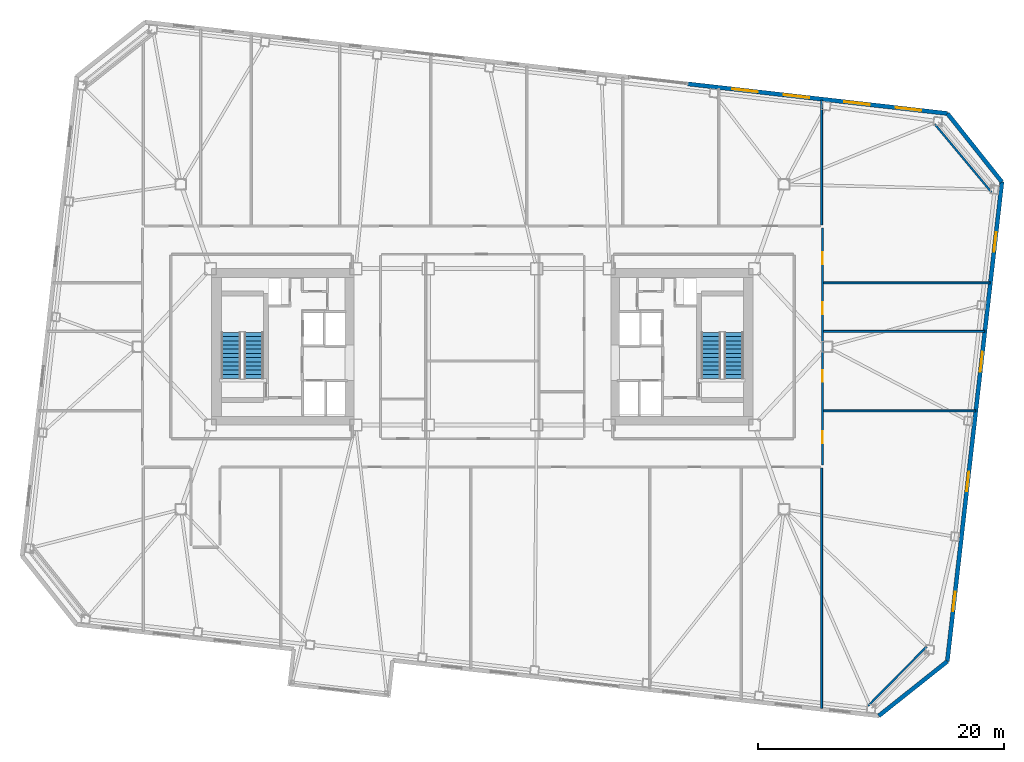
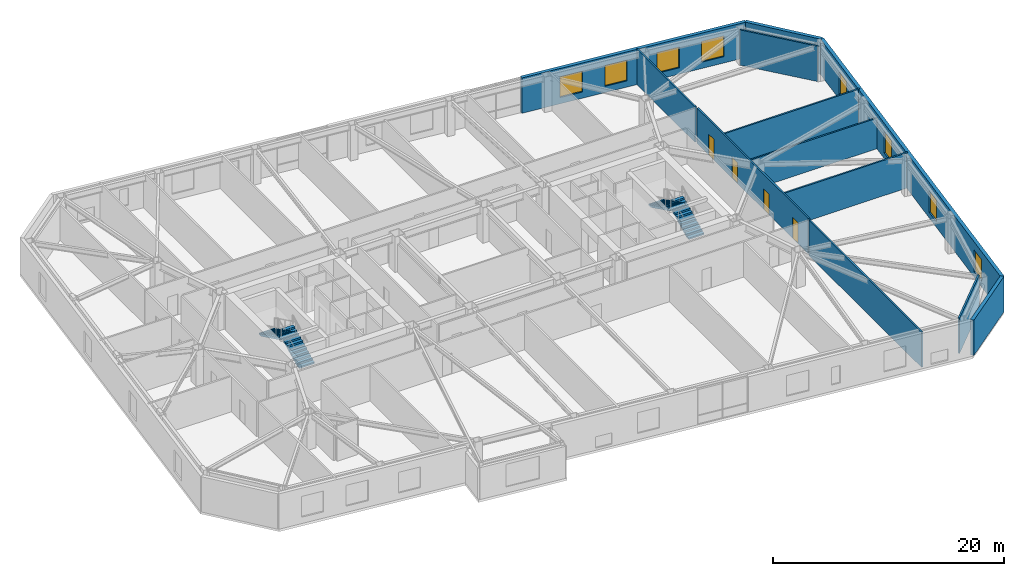
# One storey, part 14 of 19: 12 walls, 8 windows, 4 doors, 4 stair flights, 12 openings, 2 elements without a shape of their own.
"""IFC4 building model written with IfcOpenShell, lengths in metres."""

import ifcopenshell
import ifcopenshell.guid

model = None  # the IFC model being written
_history = None  # IfcOwnerHistory: only IFC2X3 demands one
_inside = {}  # id of a spatial element -> (the spatial element, [elements in it])
_under = {}  # id of a project, library or spatial element -> (it, [spatial elements below it])
_declared = {}  # id of a project -> (the project, [libraries it declares])
_typed = {}  # id of a type object -> (the type object, [elements of that type])
_made_of = {}  # id of a material, layer set ... -> (it, [elements and type objects made of it])


def new_model(schema):
    """Start an empty IFC model of exactly this schema.

    Asked for "IFC4X3", IfcOpenShell would pick the latest addendum, in which some entities
    have other attributes; the version numbers below select the first issue.
    IFC2X3 requires an IfcOwnerHistory on every rooted entity: one is made here for all.
    """
    global model, _history
    if schema == "IFC4X3":
        model = ifcopenshell.file(schema_version=(4, 3, 0, 0))
    else:
        model = ifcopenshell.file(schema=schema)
    _inside.clear()
    _under.clear()
    _declared.clear()
    _typed.clear()
    _made_of.clear()
    _history = None
    if model.schema == "IFC2X3":
        org = make("IfcOrganization", Name="unknown")
        user = make(
            "IfcPersonAndOrganization",
            ThePerson=make("IfcPerson", FamilyName="unknown"),
            TheOrganization=org,
        )
        app = make(
            "IfcApplication",
            ApplicationDeveloper=org,
            Version="unknown",
            ApplicationFullName="unknown",
            ApplicationIdentifier="unknown",
        )
        _history = make(
            "IfcOwnerHistory",
            OwningUser=user,
            OwningApplication=app,
            ChangeAction="ADDED",
            CreationDate=0,
        )
    return model


def make(cls, **values):
    """One entity of the class cls with the attributes given. An attribute that is None is left unset."""
    return model.create_entity(
        cls, **{name: value for name, value in values.items() if value is not None}
    )


def rooted(cls, **values):
    """An entity with a GlobalId (a new one), such as an element, a storey or a relation."""
    return make(cls, GlobalId=ifcopenshell.guid.new(), OwnerHistory=_history, **values)


def si_unit(unit_type, name, prefix=None):
    """IfcSIUnit, for example si_unit("LENGTHUNIT", "METRE", prefix="MILLI")."""
    return make("IfcSIUnit", UnitType=unit_type, Prefix=prefix, Name=name)


def assignment(units):
    """IfcUnitAssignment: the units of a project."""
    return None if units is None else make("IfcUnitAssignment", Units=units)


def point(xyz):
    """IfcCartesianPoint."""
    return None if xyz is None else make("IfcCartesianPoint", Coordinates=xyz)


def direction(xyz):
    """IfcDirection."""
    return None if xyz is None else make("IfcDirection", DirectionRatios=xyz)


def frame(location, z_axis=None, x_axis=None):
    """IfcAxis2Placement3D, a coordinate frame: its origin and axes. An axis left out is left unset."""
    return make(
        "IfcAxis2Placement3D",
        Location=point(location),
        Axis=direction(z_axis),
        RefDirection=direction(x_axis),
    )


def frame_2d(location, x_axis=None):
    """IfcAxis2Placement2D, a coordinate frame in the plane: its origin and x axis."""
    return make(
        "IfcAxis2Placement2D", Location=point(location), RefDirection=direction(x_axis)
    )


def origin():
    """The frame at (0, 0, 0) with its axes left unset."""
    return frame((0.0, 0.0, 0.0))


def place(relative_to, where):
    """IfcLocalPlacement: puts the frame where relative to a parent placement (None: the world)."""
    return make(
        "IfcLocalPlacement", PlacementRelTo=relative_to, RelativePlacement=where
    )


def context(
    kind, dimensions, precision=None, world=None, true_north=None, identifier=None
):
    """IfcGeometricRepresentationContext, for example the 3D "Model" context."""
    return make(
        "IfcGeometricRepresentationContext",
        ContextIdentifier=identifier,
        ContextType=kind,
        CoordinateSpaceDimension=dimensions,
        Precision=precision,
        WorldCoordinateSystem=world,
        TrueNorth=true_north,
    )


def subcontext(parent, identifier, kind, view, scale=None):
    """IfcGeometricRepresentationSubContext, for example "Body" below "Model"."""
    return make(
        "IfcGeometricRepresentationSubContext",
        ContextIdentifier=identifier,
        ContextType=kind,
        ParentContext=parent,
        TargetScale=scale,
        TargetView=view,
    )


def project(units=None, contexts=None):
    """IfcProject with its units and contexts."""
    return rooted(
        "IfcProject",
        Name="project",
        RepresentationContexts=contexts,
        UnitsInContext=assignment(units),
    )


def spatial(cls, under=None, at=None, **own):
    """A site, building, storey or space (cls), placed at a placement, below another one or the project."""
    s = rooted(cls, ObjectPlacement=at, **own)
    if under is not None:
        _under.setdefault(under.id(), (under, []))[1].append(s)
    return s


def polyline(points):
    """IfcPolyline through the points."""
    return make("IfcPolyline", Points=[point(p) for p in points])


def profile(cls, at=None, kind="AREA", **sizes):
    """A parametric profile (cls). Its sizes go by their IFC names, for example OverallWidth=200.0."""
    return make(cls, ProfileType=kind, Position=at, **sizes)


def rectangle(**sizes):
    """IfcRectangleProfileDef."""
    return profile("IfcRectangleProfileDef", **sizes)


def outline(outer, holes=None, kind="AREA"):
    """IfcArbitraryClosedProfileDef: a profile drawn as a closed curve; with holes, ...WithVoids."""
    if holes is None:
        return make("IfcArbitraryClosedProfileDef", ProfileType=kind, OuterCurve=outer)
    return make(
        "IfcArbitraryProfileDefWithVoids",
        ProfileType=kind,
        OuterCurve=outer,
        InnerCurves=holes,
    )


def extrude(swept, where, along, depth):
    """IfcExtrudedAreaSolid: the profile swept, set in the frame where, extruded along a direction by depth."""
    return make(
        "IfcExtrudedAreaSolid",
        SweptArea=swept,
        Position=where,
        ExtrudedDirection=direction(along),
        Depth=depth,
    )


def shape(context_of_items, identifier, shape_type, items):
    """IfcShapeRepresentation: the items that make up one representation, for example the "Body"."""
    return make(
        "IfcShapeRepresentation",
        ContextOfItems=context_of_items,
        RepresentationIdentifier=identifier,
        RepresentationType=shape_type,
        Items=items,
    )


def material(Name=None, Category=None):
    """IfcMaterial."""
    return make("IfcMaterial", Name=Name, Category=Category)


def layer(
    of_material, thickness, ventilated=None, Name=None, Category=None, Priority=None
):
    """IfcMaterialLayer: one layer of a wall or slab, of a material (None: an air gap)."""
    return make(
        "IfcMaterialLayer",
        Material=of_material,
        LayerThickness=thickness,
        IsVentilated=ventilated,
        Name=Name,
        Category=Category,
        Priority=Priority,
    )


def layer_set(layers, Name=None):
    """IfcMaterialLayerSet."""
    return make("IfcMaterialLayerSet", MaterialLayers=layers, LayerSetName=Name)


def made_of(thing, what):
    """Note that an element or type object is made of a material, layer set ...; save() writes the relation."""
    if what is not None:
        _made_of.setdefault(what.id(), (what, []))[1].append(thing)
    return thing


def type_object(cls, material=None, **own):
    """A type object (cls), such as IfcWallType, which elements share."""
    return made_of(rooted(cls, **own), material)


def element(
    cls,
    number,
    at=None,
    inside=None,
    cuts=None,
    type_object=None,
    material=None,
    context=None,
    identifier="Body",
    shape_type=None,
    held_by="IfcProductDefinitionShape",
    body=None,
    shapes=None,
    **own,
):
    """One element of the class cls, such as IfcWall. Its Tag is "e" and its number.

    at: its placement. inside: the storey or other place that contains it. cuts: it is an
    opening in that element (IfcRelVoidsElement). A single representation is given by context,
    identifier, shape_type and body (its items); several are given by shapes. held_by: the class
    of the entity that holds the representations. save() writes the other relations.
    """
    e = rooted(cls, Tag="e%d" % number, ObjectPlacement=at, **own)
    if body is not None:
        shapes = [shape(context, identifier, shape_type, body)]
    if shapes is not None:
        e.Representation = make(held_by, Representations=shapes)
    if inside is not None:
        _inside.setdefault(inside.id(), (inside, []))[1].append(e)
    if cuts is not None:
        rooted(
            "IfcRelVoidsElement", RelatingBuildingElement=cuts, RelatedOpeningElement=e
        )
    if type_object is not None:
        _typed.setdefault(type_object.id(), (type_object, []))[1].append(e)
    return made_of(e, material)


def fill(opening, filler):
    """IfcRelFillsElement: the door or window that sits in an opening."""
    return rooted(
        "IfcRelFillsElement",
        RelatingOpeningElement=opening,
        RelatedBuildingElement=filler,
    )


def aggregate(whole, parts):
    """IfcRelAggregates: a whole, such as a stair, and the parts it consists of."""
    return rooted("IfcRelAggregates", RelatingObject=whole, RelatedObjects=parts)


def save(model, path):
    """Write the relations noted so far, then the file.

    IfcRelAggregates (storeys below a building ...), IfcRelContainedInSpatialStructure (elements
    in a storey), IfcRelDefinesByType, IfcRelAssociatesMaterial and IfcRelDeclares: one each for
    every whole, place, type object, material and project.
    """
    for whole, parts in _under.values():
        aggregate(whole, parts)
    for where, things in _inside.values():
        rooted(
            "IfcRelContainedInSpatialStructure",
            RelatedElements=things,
            RelatingStructure=where,
        )
    for kind, things in _typed.values():
        rooted("IfcRelDefinesByType", RelatedObjects=things, RelatingType=kind)
    for what, things in _made_of.values():
        rooted("IfcRelAssociatesMaterial", RelatedObjects=things, RelatingMaterial=what)
    for by, libraries in _declared.values():
        rooted("IfcRelDeclares", RelatingContext=by, RelatedDefinitions=libraries)
    model.write(path)


model = new_model("IFC4")

# Units and contexts
model_context = context("Model", 3, precision=1e-05, world=origin(), true_north=direction((0.0, 1.0)))
body_context = subcontext(model_context, "Body", "Model", "MODEL_VIEW")
ifc_project = project(units=[si_unit("LENGTHUNIT", "METRE"), si_unit("AREAUNIT", "SQUARE_METRE"), si_unit("VOLUMEUNIT", "CUBIC_METRE"), si_unit("PLANEANGLEUNIT", "RADIAN"), si_unit("MASSUNIT", "GRAM", prefix="KILO")], contexts=[model_context])

# Site, building, storey
site_placement = place(None, origin())
site = spatial("IfcSite", under=ifc_project, at=site_placement, CompositionType="ELEMENT")
building_placement = place(site_placement, origin())
building = spatial("IfcBuilding", under=site, at=building_placement, Name="Tavrogorsk Clinical Tower", CompositionType="ELEMENT")
storey_placement = place(building_placement, frame((0.0, 0.0, 101.39990234375)))
storey = spatial("IfcBuildingStorey", under=building, at=storey_placement, Name="L22", CompositionType="ELEMENT", Elevation=101.39990234375)

# Walls
ifc_material_1 = material(Name="Lightweight concrete blockwork B15", Category="masonry")
ifc_layer_1 = layer(ifc_material_1, 0.159912109375)
ifc_layer_set_1 = layer_set([ifc_layer_1], Name="Lightweight concrete blockwork B15")
wall_type_1 = type_object("IfcWallType", Name="PartitionWall_160", PredefinedType="PARTITIONING", material=ifc_layer_set_1)
wall_1_placement = place(storey_placement, frame((31.34130859375, -29.162109375, 0.0), z_axis=(0.0, 0.0, 1.0), x_axis=(0.702905898933, 0.711282853192, 0.0)))
element("IfcWall", 1, at=wall_1_placement, inside=storey, type_object=wall_type_1, Name="L22 Corner Exoskeleton Brace Furring Wall 1", PredefinedType="PARTITIONING", context=body_context, shape_type="SweptSolid", body=[
    extrude(rectangle(XDim=6.761474609375, YDim=0.159912109375, at=frame_2d((3.380859375, 0.0))), origin(), (0.0, 0.0, 1.0), 3.739990234375),
])
wall_2_placement = place(storey_placement, frame((41.36083984375, 12.555908203125, 0.0), z_axis=(0.0, 0.0, 1.0), x_axis=(-0.640217638562, 0.768193579298, 0.0)))
element("IfcWall", 2, at=wall_2_placement, inside=storey, type_object=wall_type_1, Name="L22 Corner Exoskeleton Brace Furring Wall 2", PredefinedType="PARTITIONING", context=body_context, shape_type="SweptSolid", body=[
    extrude(rectangle(XDim=7.224365234375, YDim=0.159912109375, at=frame_2d((3.6123046875, 0.0))), origin(), (0.0, 0.0, 1.0), 3.739990234375),
])

# Wall, openings, doors
wall_3_placement = place(storey_placement, frame((27.6298828125, 9.6650390625, 0.0), z_axis=(0.0, 0.0, 1.0), x_axis=(0.0, -1.0, 0.0)))
wall_3 = element("IfcWall", 3, at=wall_3_placement, inside=storey, type_object=wall_type_1, Name="L22 Corridor Partition 04", PredefinedType="PARTITIONING", context=body_context, shape_type="SweptSolid", body=[
    extrude(rectangle(XDim=19.280029296875, YDim=0.159912109375, at=frame_2d((9.64013671875, 0.0))), origin(), (0.0, 0.0, 1.0), 3.739990234375),
])
opening_1_placement = place(wall_3_placement, frame((16.531005859375, 0.0, 0.0)))
opening_1 = element("IfcOpeningElement", 4, at=opening_1_placement, cuts=wall_3, Name="Opening ID-02", PredefinedType="OPENING", context=body_context, shape_type="SweptSolid", body=[
    extrude(rectangle(XDim=0.949951171875, YDim=2.199951171875, at=frame_2d((0.47509765625, 1.10009765625))), frame((0.0, 0.08984375, 0.0), z_axis=(0.0, -1.0, 0.0), x_axis=(1.0, 0.0, 0.0)), (0.0, 0.0, 1.0), 0.179931640625),
])
opening_2_placement = place(wall_3_placement, frame((11.550048828125, 0.0, 0.0)))
opening_2 = element("IfcOpeningElement", 5, at=opening_2_placement, cuts=wall_3, Name="Opening ID-02", PredefinedType="OPENING", context=body_context, shape_type="SweptSolid", body=[
    extrude(rectangle(XDim=0.949951171875, YDim=2.199951171875, at=frame_2d((0.47509765625, 1.10009765625))), frame((0.0, 0.08984375, 0.0), z_axis=(0.0, -1.0, 0.0), x_axis=(1.0, 0.0, 0.0)), (0.0, 0.0, 1.0), 0.179931640625),
])
opening_3_placement = place(wall_3_placement, frame((6.050048828125, 0.0, 0.0)))
opening_3 = element("IfcOpeningElement", 6, at=opening_3_placement, cuts=wall_3, Name="Opening ID-02", PredefinedType="OPENING", context=body_context, shape_type="SweptSolid", body=[
    extrude(rectangle(XDim=0.949951171875, YDim=2.199951171875, at=frame_2d((0.47509765625, 1.10009765625))), frame((0.0, 0.08984375, 0.0), z_axis=(0.0, -1.0, 0.0), x_axis=(1.0, 0.0, 0.0)), (0.0, 0.0, 1.0), 0.179931640625),
])
opening_4_placement = place(wall_3_placement, frame((1.994140625, 0.0, 0.0)))
opening_4 = element("IfcOpeningElement", 7, at=opening_4_placement, cuts=wall_3, Name="Opening ID-02", PredefinedType="OPENING", context=body_context, shape_type="SweptSolid", body=[
    extrude(rectangle(XDim=0.949951171875, YDim=2.199951171875, at=frame_2d((0.47509765625, 1.10009765625))), frame((0.0, 0.08984375, 0.0), z_axis=(0.0, -1.0, 0.0), x_axis=(1.0, 0.0, 0.0)), (0.0, 0.0, 1.0), 0.179931640625),
])
ifc_material_2 = material(Name="Laminated timber leaf on aluminium frame", Category="wood")
door_type = type_object("IfcDoorType", Name="InteriorDoor_ID02_950", OperationType="NOTDEFINED", PredefinedType="DOOR", material=ifc_material_2)
door_1_placement = place(opening_1_placement, origin())
door_1 = element("IfcDoor", 8, at=door_1_placement, inside=storey, type_object=door_type, Name="L22 E Senior Clinician Suite 1 Door", OperationType="SINGLE_SWING_RIGHT", OverallHeight=2.199951171875, OverallWidth=0.949951171875, PredefinedType="DOOR", context=body_context, shape_type="SweptSolid", body=[
    extrude(rectangle(XDim=0.949951171875, YDim=2.199951171875, at=frame_2d((0.47509765625, 1.10009765625))), frame((0.0, 0.02490234375, 0.0), z_axis=(0.0, -1.0, 0.0), x_axis=(1.0, 0.0, 0.0)), (0.0, 0.0, 1.0), 0.050048828125),
])
fill(opening_1, door_1)
door_2_placement = place(opening_2_placement, origin())
door_2 = element("IfcDoor", 9, at=door_2_placement, inside=storey, type_object=door_type, Name="L22 E Multidisciplinary Seminar Suite 2 Door", OperationType="SINGLE_SWING_LEFT", OverallHeight=2.199951171875, OverallWidth=0.949951171875, PredefinedType="DOOR", context=body_context, shape_type="SweptSolid", body=[
    extrude(rectangle(XDim=0.949951171875, YDim=2.199951171875, at=frame_2d((0.47509765625, 1.10009765625))), frame((0.0, 0.02490234375, 0.0), z_axis=(0.0, -1.0, 0.0), x_axis=(1.0, 0.0, 0.0)), (0.0, 0.0, 1.0), 0.050048828125),
])
fill(opening_2, door_2)
door_3_placement = place(opening_3_placement, origin())
door_3 = element("IfcDoor", 10, at=door_3_placement, inside=storey, type_object=door_type, Name="L22 E Specialist Consultation Room 3 Door", OperationType="SINGLE_SWING_RIGHT", OverallHeight=2.199951171875, OverallWidth=0.949951171875, PredefinedType="DOOR", context=body_context, shape_type="SweptSolid", body=[
    extrude(rectangle(XDim=0.949951171875, YDim=2.199951171875, at=frame_2d((0.47509765625, 1.10009765625))), frame((0.0, 0.02490234375, 0.0), z_axis=(0.0, -1.0, 0.0), x_axis=(1.0, 0.0, 0.0)), (0.0, 0.0, 1.0), 0.050048828125),
])
fill(opening_3, door_3)
door_4_placement = place(opening_4_placement, origin())
door_4 = element("IfcDoor", 11, at=door_4_placement, inside=storey, type_object=door_type, Name="L22 E Clinical Fellows' Study 4 Door", OperationType="SINGLE_SWING_LEFT", OverallHeight=2.199951171875, OverallWidth=0.949951171875, PredefinedType="DOOR", context=body_context, shape_type="SweptSolid", body=[
    extrude(rectangle(XDim=0.949951171875, YDim=2.199951171875, at=frame_2d((0.47509765625, 1.10009765625))), frame((0.0, 0.02490234375, 0.0), z_axis=(0.0, -1.0, 0.0), x_axis=(1.0, 0.0, 0.0)), (0.0, 0.0, 1.0), 0.050048828125),
])
fill(opening_4, door_4)

# Walls
wall_4_placement = place(storey_placement, frame((27.550048828125, 9.9150390625, 0.0), z_axis=(0.0, 0.0, 1.0), x_axis=(0.0, 1.0, 0.0)))
element("IfcWall", 12, at=wall_4_placement, inside=storey, type_object=wall_type_1, Name="L22 NE Wing Closure Partition", PredefinedType="PARTITIONING", context=body_context, shape_type="SweptSolid", body=[
    extrude(rectangle(XDim=10.138427734375, YDim=0.159912109375, at=frame_2d((5.0693359375, 0.0))), origin(), (0.0, 0.0, 1.0), 3.739990234375),
])
wall_5_placement = place(storey_placement, frame((27.550048828125, -29.384521484375, 0.0), z_axis=(0.0, 0.0, 1.0), x_axis=(0.0, 1.0, 0.0)))
element("IfcWall", 13, at=wall_5_placement, inside=storey, type_object=wall_type_1, Name="L22 SE Wing Closure Partition", PredefinedType="PARTITIONING", context=body_context, shape_type="SweptSolid", body=[
    extrude(rectangle(XDim=19.51953125, YDim=0.159912109375, at=frame_2d((9.759765625, 0.0))), origin(), (0.0, 0.0, 1.0), 3.739990234375),
])
wall_6_placement = place(storey_placement, frame((27.715087890625, -5.199951171875, 0.0), z_axis=(0.0, 0.0, 1.0), x_axis=(1.0, 0.0, 0.0)))
element("IfcWall", 14, at=wall_6_placement, inside=storey, type_object=wall_type_1, Name="L22 E Wing Divider 1", PredefinedType="PARTITIONING", context=body_context, shape_type="SweptSolid", body=[
    extrude(rectangle(XDim=12.35205078125, YDim=0.159912109375, at=frame_2d((6.176025390625, 0.0))), origin(), (0.0, 0.0, 1.0), 3.739990234375),
])
wall_7_placement = place(storey_placement, frame((27.715087890625, 1.25, 0.0), z_axis=(0.0, 0.0, 1.0), x_axis=(1.0, 0.0, 0.0)))
element("IfcWall", 15, at=wall_7_placement, inside=storey, type_object=wall_type_1, Name="L22 E Wing Divider 2", PredefinedType="PARTITIONING", context=body_context, shape_type="SweptSolid", body=[
    extrude(rectangle(XDim=13.0869140625, YDim=0.159912109375, at=frame_2d((6.54345703125, 0.0))), origin(), (0.0, 0.0, 1.0), 3.235107421875),
])
wall_8_placement = place(storey_placement, frame((27.715087890625, 5.199951171875, 0.0), z_axis=(0.0, 0.0, 1.0), x_axis=(1.0, 0.0, 0.0)))
element("IfcWall", 16, at=wall_8_placement, inside=storey, type_object=wall_type_1, Name="L22 E Wing Divider 3", PredefinedType="PARTITIONING", context=body_context, shape_type="SweptSolid", body=[
    extrude(rectangle(XDim=13.537109375, YDim=0.159912109375, at=frame_2d((6.7685546875, 0.0))), origin(), (0.0, 0.0, 1.0), 3.739990234375),
])

# Wall, openings, windows
ifc_material_3 = material(Name="Precast concrete B45 with limestone cladding", Category="masonry")
ifc_layer_2 = layer(ifc_material_3, 0.340087890625)
ifc_layer_set_2 = layer_set([ifc_layer_2], Name="Precast concrete B45 with limestone cladding")
wall_type_2 = type_object("IfcWallType", Name="PrecastLimestoneWall_340", PredefinedType="STANDARD", material=ifc_layer_set_2)
wall_9_placement = place(storey_placement, frame((37.77734375, 18.95849609375, 0.0), z_axis=(0.0, 0.0, 1.0), x_axis=(-0.993571362037, 0.113207546299, 0.0)))
wall_9 = element("IfcWall", 17, at=wall_9_placement, inside=storey, type_object=wall_type_2, Name="L22 N Limestone Facade Wall 1", PredefinedType="STANDARD", context=body_context, shape_type="SweptSolid", body=[
    extrude(rectangle(XDim=21.222900390625, YDim=0.340087890625, at=frame_2d((10.611328125, 0.0))), origin(), (0.0, 0.0, 1.0), 3.739990234375),
])
opening_5_placement = place(wall_9_placement, frame((15.50634765625, 0.0, 0.669921875)))
opening_5 = element("IfcOpeningElement", 18, at=opening_5_placement, cuts=wall_9, Name="Opening WN-03", PredefinedType="OPENING", context=body_context, shape_type="SweptSolid", body=[
    extrude(rectangle(XDim=2.10009765625, YDim=2.199951171875, at=frame_2d((1.050048828125, 1.10009765625))), frame((0.0, 0.179931640625, 0.0), z_axis=(0.0, -1.0, 0.0), x_axis=(1.0, 0.0, 0.0)), (0.0, 0.0, 1.0), 0.360107421875),
])
opening_6_placement = place(wall_9_placement, frame((11.284912109375, 0.0, 0.669921875)))
opening_6 = element("IfcOpeningElement", 19, at=opening_6_placement, cuts=wall_9, Name="Opening WN-03", PredefinedType="OPENING", context=body_context, shape_type="SweptSolid", body=[
    extrude(rectangle(XDim=2.10009765625, YDim=2.199951171875, at=frame_2d((1.050048828125, 1.10009765625))), frame((0.0, 0.179931640625, 0.0), z_axis=(0.0, -1.0, 0.0), x_axis=(1.0, 0.0, 0.0)), (0.0, 0.0, 1.0), 0.360107421875),
])
opening_7_placement = place(wall_9_placement, frame((6.335693359375, 0.0, 0.669921875)))
opening_7 = element("IfcOpeningElement", 20, at=opening_7_placement, cuts=wall_9, Name="Opening WN-03", PredefinedType="OPENING", context=body_context, shape_type="SweptSolid", body=[
    extrude(rectangle(XDim=2.10009765625, YDim=2.199951171875, at=frame_2d((1.050048828125, 1.10009765625))), frame((0.0, 0.179931640625, 0.0), z_axis=(0.0, -1.0, 0.0), x_axis=(1.0, 0.0, 0.0)), (0.0, 0.0, 1.0), 0.360107421875),
])
opening_8_placement = place(wall_9_placement, frame((2.125244140625, 0.0, 0.669921875)))
opening_8 = element("IfcOpeningElement", 21, at=opening_8_placement, cuts=wall_9, Name="Opening WN-03", PredefinedType="OPENING", context=body_context, shape_type="SweptSolid", body=[
    extrude(rectangle(XDim=2.10009765625, YDim=2.199951171875, at=frame_2d((1.050048828125, 1.10009765625))), frame((0.0, 0.179931640625, 0.0), z_axis=(0.0, -1.0, 0.0), x_axis=(1.0, 0.0, 0.0)), (0.0, 0.0, 1.0), 0.360107421875),
])
ifc_material_4 = material(Name="Thermally broken aluminium frame and triple IGU", Category="aluminium")
window_type_1 = type_object("IfcWindowType", Name="PatientTwinWin_2100x2200", PartitioningType="DOUBLE_PANEL_VERTICAL", PredefinedType="WINDOW", material=ifc_material_4)
window_1_placement = place(opening_5_placement, origin())
window_1 = element("IfcWindow", 22, at=window_1_placement, inside=storey, type_object=window_type_1, Name="L22 N Chicago Window 07", OverallHeight=2.199951171875, OverallWidth=2.10009765625, PartitioningType="SINGLE_PANEL", PredefinedType="WINDOW", context=body_context, shape_type="SweptSolid", body=[
    extrude(rectangle(XDim=2.10009765625, YDim=2.199951171875, at=frame_2d((1.050048828125, 1.10009765625))), frame((0.0, 0.030029296875, 0.0), z_axis=(0.0, -1.0, 0.0), x_axis=(1.0, 0.0, 0.0)), (0.0, 0.0, 1.0), 0.06005859375),
])
fill(opening_5, window_1)
window_2_placement = place(opening_6_placement, origin())
window_2 = element("IfcWindow", 23, at=window_2_placement, inside=storey, type_object=window_type_1, Name="L22 N Chicago Window 08", OverallHeight=2.199951171875, OverallWidth=2.10009765625, PartitioningType="SINGLE_PANEL", PredefinedType="WINDOW", context=body_context, shape_type="SweptSolid", body=[
    extrude(rectangle(XDim=2.10009765625, YDim=2.199951171875, at=frame_2d((1.050048828125, 1.10009765625))), frame((0.0, 0.030029296875, 0.0), z_axis=(0.0, -1.0, 0.0), x_axis=(1.0, 0.0, 0.0)), (0.0, 0.0, 1.0), 0.06005859375),
])
fill(opening_6, window_2)
window_3_placement = place(opening_7_placement, origin())
window_3 = element("IfcWindow", 24, at=window_3_placement, inside=storey, type_object=window_type_1, Name="L22 N Chicago Window 09", OverallHeight=2.199951171875, OverallWidth=2.10009765625, PartitioningType="SINGLE_PANEL", PredefinedType="WINDOW", context=body_context, shape_type="SweptSolid", body=[
    extrude(rectangle(XDim=2.10009765625, YDim=2.199951171875, at=frame_2d((1.050048828125, 1.10009765625))), frame((0.0, 0.030029296875, 0.0), z_axis=(0.0, -1.0, 0.0), x_axis=(1.0, 0.0, 0.0)), (0.0, 0.0, 1.0), 0.06005859375),
])
fill(opening_7, window_3)
window_4_placement = place(opening_8_placement, origin())
window_4 = element("IfcWindow", 25, at=window_4_placement, inside=storey, type_object=window_type_1, Name="L22 N Chicago Window 10", OverallHeight=2.199951171875, OverallWidth=2.10009765625, PartitioningType="SINGLE_PANEL", PredefinedType="WINDOW", context=body_context, shape_type="SweptSolid", body=[
    extrude(rectangle(XDim=2.10009765625, YDim=2.199951171875, at=frame_2d((1.050048828125, 1.10009765625))), frame((0.0, 0.030029296875, 0.0), z_axis=(0.0, -1.0, 0.0), x_axis=(1.0, 0.0, 0.0)), (0.0, 0.0, 1.0), 0.06005859375),
])
fill(opening_8, window_4)

wall_10_placement = place(storey_placement, frame((37.76806640625, -25.556396484375, 0.0), z_axis=(0.0, 0.0, 1.0), x_axis=(0.113201605824, 0.993572038877, 0.0)))
wall_10 = element("IfcWall", 26, at=wall_10_placement, inside=storey, type_object=wall_type_2, Name="L22 E Pleated Limestone Wing Wall", PredefinedType="STANDARD", context=body_context, shape_type="SweptSolid", body=[
    extrude(rectangle(XDim=39.199951171875, YDim=0.340087890625, at=frame_2d((19.60009765625, 0.0))), origin(), (0.0, 0.0, 1.0), 3.739990234375),
])
opening_9_placement = place(wall_10_placement, frame((4.10009765625, 0.0, 0.580078125)))
opening_9 = element("IfcOpeningElement", 27, at=opening_9_placement, cuts=wall_10, Name="Opening WN-07", PredefinedType="OPENING", context=body_context, shape_type="SweptSolid", body=[
    extrude(rectangle(XDim=1.60009765625, YDim=2.300048828125, at=frame_2d((0.800048828125, 1.14990234375))), frame((0.0, 0.179931640625, 0.0), z_axis=(0.0, -1.0, 0.0), x_axis=(1.0, 0.0, 0.0)), (0.0, 0.0, 1.0), 0.360107421875),
])
opening_10_placement = place(wall_10_placement, frame((13.89990234375, 0.0, 0.580078125)))
opening_10 = element("IfcOpeningElement", 28, at=opening_10_placement, cuts=wall_10, Name="Opening WN-07", PredefinedType="OPENING", context=body_context, shape_type="SweptSolid", body=[
    extrude(rectangle(XDim=1.60009765625, YDim=2.300048828125, at=frame_2d((0.800048828125, 1.14990234375))), frame((0.0, 0.179931640625, 0.0), z_axis=(0.0, -1.0, 0.0), x_axis=(1.0, 0.0, 0.0)), (0.0, 0.0, 1.0), 0.360107421875),
])
opening_11_placement = place(wall_10_placement, frame((23.699951171875, 0.0, 0.580078125)))
opening_11 = element("IfcOpeningElement", 29, at=opening_11_placement, cuts=wall_10, Name="Opening WN-07", PredefinedType="OPENING", context=body_context, shape_type="SweptSolid", body=[
    extrude(rectangle(XDim=1.60009765625, YDim=2.300048828125, at=frame_2d((0.800048828125, 1.14990234375))), frame((0.0, 0.179931640625, 0.0), z_axis=(0.0, -1.0, 0.0), x_axis=(1.0, 0.0, 0.0)), (0.0, 0.0, 1.0), 0.360107421875),
])
opening_12_placement = place(wall_10_placement, frame((33.5, 0.0, 0.580078125)))
opening_12 = element("IfcOpeningElement", 30, at=opening_12_placement, cuts=wall_10, Name="Opening WN-07", PredefinedType="OPENING", context=body_context, shape_type="SweptSolid", body=[
    extrude(rectangle(XDim=1.60009765625, YDim=2.300048828125, at=frame_2d((0.800048828125, 1.14990234375))), frame((0.0, 0.179931640625, 0.0), z_axis=(0.0, -1.0, 0.0), x_axis=(1.0, 0.0, 0.0)), (0.0, 0.0, 1.0), 0.360107421875),
])
ifc_material_5 = material(Name="Thermally broken aluminium frame and triple IGU", Category="aluminium")
window_type_2 = type_object("IfcWindowType", Name="PleatSlotWin_1600x2300", PartitioningType="SINGLE_PANEL", PredefinedType="WINDOW", material=ifc_material_5)
window_5_placement = place(opening_9_placement, origin())
window_5 = element("IfcWindow", 31, at=window_5_placement, inside=storey, type_object=window_type_2, Name="L22 E Pleat Slot Window 1", OverallHeight=2.300048828125, OverallWidth=1.60009765625, PartitioningType="SINGLE_PANEL", PredefinedType="WINDOW", context=body_context, shape_type="SweptSolid", body=[
    extrude(rectangle(XDim=1.60009765625, YDim=2.300048828125, at=frame_2d((0.800048828125, 1.14990234375))), frame((0.0, 0.030029296875, 0.0), z_axis=(0.0, -1.0, 0.0), x_axis=(1.0, 0.0, 0.0)), (0.0, 0.0, 1.0), 0.06005859375),
])
fill(opening_9, window_5)
window_6_placement = place(opening_10_placement, origin())
window_6 = element("IfcWindow", 32, at=window_6_placement, inside=storey, type_object=window_type_2, Name="L22 E Pleat Slot Window 2", OverallHeight=2.300048828125, OverallWidth=1.60009765625, PartitioningType="SINGLE_PANEL", PredefinedType="WINDOW", context=body_context, shape_type="SweptSolid", body=[
    extrude(rectangle(XDim=1.60009765625, YDim=2.300048828125, at=frame_2d((0.800048828125, 1.14990234375))), frame((0.0, 0.030029296875, 0.0), z_axis=(0.0, -1.0, 0.0), x_axis=(1.0, 0.0, 0.0)), (0.0, 0.0, 1.0), 0.06005859375),
])
fill(opening_10, window_6)
window_7_placement = place(opening_11_placement, origin())
window_7 = element("IfcWindow", 33, at=window_7_placement, inside=storey, type_object=window_type_2, Name="L22 E Pleat Slot Window 3", OverallHeight=2.300048828125, OverallWidth=1.60009765625, PartitioningType="SINGLE_PANEL", PredefinedType="WINDOW", context=body_context, shape_type="SweptSolid", body=[
    extrude(rectangle(XDim=1.60009765625, YDim=2.300048828125, at=frame_2d((0.800048828125, 1.14990234375))), frame((0.0, 0.030029296875, 0.0), z_axis=(0.0, -1.0, 0.0), x_axis=(1.0, 0.0, 0.0)), (0.0, 0.0, 1.0), 0.06005859375),
])
fill(opening_11, window_7)
window_8_placement = place(opening_12_placement, origin())
window_8 = element("IfcWindow", 34, at=window_8_placement, inside=storey, type_object=window_type_2, Name="L22 E Pleat Slot Window 4", OverallHeight=2.300048828125, OverallWidth=1.60009765625, PartitioningType="SINGLE_PANEL", PredefinedType="WINDOW", context=body_context, shape_type="SweptSolid", body=[
    extrude(rectangle(XDim=1.60009765625, YDim=2.300048828125, at=frame_2d((0.800048828125, 1.14990234375))), frame((0.0, 0.030029296875, 0.0), z_axis=(0.0, -1.0, 0.0), x_axis=(1.0, 0.0, 0.0)), (0.0, 0.0, 1.0), 0.06005859375),
])
fill(opening_12, window_8)

# Walls
wall_11_placement = place(storey_placement, frame((32.200927734375, -29.984619140625, 0.0), z_axis=(0.0, 0.0, 1.0), x_axis=(0.78261359446, 0.622507800567, 0.0)))
element("IfcWall", 35, at=wall_11_placement, inside=storey, type_object=wall_type_2, Name="L22 Chamfered Corner Wall 1", PredefinedType="STANDARD", context=body_context, shape_type="SweptSolid", body=[
    extrude(rectangle(XDim=7.113525390625, YDim=0.340087890625, at=frame_2d((3.556640625, 0.0))), origin(), (0.0, 0.0, 1.0), 3.739990234375),
])
wall_12_placement = place(storey_placement, frame((42.20556640625, 13.3916015625, 0.0), z_axis=(0.0, 0.0, 1.0), x_axis=(-0.622524521309, 0.782600294128, 0.0)))
element("IfcWall", 36, at=wall_12_placement, inside=storey, type_object=wall_type_2, Name="L22 Chamfered Corner Wall 2", PredefinedType="STANDARD", context=body_context, shape_type="SweptSolid", body=[
    extrude(rectangle(XDim=7.11328125, YDim=0.340087890625, at=frame_2d((3.556640625, 0.0))), origin(), (0.0, 0.0, 1.0), 3.739990234375),
])

# Stair, stair flights
ifc_material_6 = material(Name="Concrete B60", Category="concrete")
stair_type = type_object("IfcStairType", Name="CoreStairAssembly", PredefinedType="HALF_TURN_STAIR", material=ifc_material_6)
stair_1_placement = place(storey_placement, origin())
stair_1 = element("IfcStair", 37, at=stair_1_placement, inside=storey, type_object=stair_type, Name="L22 ST-W", PredefinedType="HALF_TURN_STAIR")
ifc_material_7 = material(Name="Concrete B60", Category="concrete")
stair_flight_type = type_object("IfcStairFlightType", Name="CoreStairFlight", PredefinedType="STRAIGHT", material=ifc_material_7)
stair_flight_1_placement = place(storey_placement, frame((-18.574951171875, -2.574951171875, 0.0), z_axis=(0.0, 0.0, 1.0), x_axis=(0.0, 1.0, 0.0)))
stair_flight_1 = element("IfcStairFlight", 38, at=stair_flight_1_placement, type_object=stair_flight_type, Name="ST-W flight 1", NumberOfRisers=12, NumberOfTreads=11, PredefinedType="STRAIGHT", RiserHeight=0.166666667, TreadLength=0.34, context=body_context, shape_type="SweptSolid", body=[
    extrude(outline(polyline([(0.0, 0.0), (0.0, 0.166748046875), (0.340087890625, 0.166748046875), (0.340087890625, 0.333251953125), (0.679931640625, 0.333251953125), (0.679931640625, 0.5), (1.02001953125, 0.5), (1.02001953125, 0.666748046875), (1.360107421875, 0.666748046875), (1.360107421875, 0.833251953125), (1.699951171875, 0.833251953125), (1.699951171875, 1.0), (2.0400390625, 1.0), (2.0400390625, 1.166748046875), (2.3798828125, 1.166748046875), (2.3798828125, 1.333251953125), (2.719970703125, 1.333251953125), (2.719970703125, 1.5), (3.06005859375, 1.5), (3.06005859375, 1.666748046875), (3.39990234375, 1.666748046875), (3.39990234375, 1.833251953125), (3.739990234375, 1.833251953125), (3.739990234375, 2.0), (3.739990234375, 1.66650390625), (0.340576171875, 0.0), (0.0, 0.0)])), frame((0.0, 0.77490234375, 0.0), z_axis=(0.0, -1.0, 0.0), x_axis=(1.0, 0.0, 0.0)), (0.0, 0.0, 1.0), 1.550048828125),
])
stair_flight_2_placement = place(storey_placement, frame((-20.425048828125, 1.1650390625, 2.0), z_axis=(0.0, 0.0, 1.0), x_axis=(0.0, -1.0, 0.0)))
stair_flight_2 = element("IfcStairFlight", 39, at=stair_flight_2_placement, type_object=stair_flight_type, Name="ST-W flight 2", NumberOfRisers=12, NumberOfTreads=11, PredefinedType="STRAIGHT", RiserHeight=0.166666667, TreadLength=0.34, context=body_context, shape_type="SweptSolid", body=[
    extrude(outline(polyline([(0.0, 0.0), (0.0, 0.166748046875), (0.340087890625, 0.166748046875), (0.340087890625, 0.333251953125), (0.679931640625, 0.333251953125), (0.679931640625, 0.5), (1.02001953125, 0.5), (1.02001953125, 0.666748046875), (1.360107421875, 0.666748046875), (1.360107421875, 0.833251953125), (1.699951171875, 0.833251953125), (1.699951171875, 1.0), (2.0400390625, 1.0), (2.0400390625, 1.166748046875), (2.3798828125, 1.166748046875), (2.3798828125, 1.333251953125), (2.719970703125, 1.333251953125), (2.719970703125, 1.5), (3.06005859375, 1.5), (3.06005859375, 1.666748046875), (3.39990234375, 1.666748046875), (3.39990234375, 1.833251953125), (3.739990234375, 1.833251953125), (3.739990234375, 2.0), (3.739990234375, 1.66650390625), (0.340576171875, 0.0), (0.0, 0.0)])), frame((0.0, 0.77490234375, 0.0), z_axis=(0.0, -1.0, 0.0), x_axis=(1.0, 0.0, 0.0)), (0.0, 0.0, 1.0), 1.550048828125),
])
aggregate(stair_1, [stair_flight_1, stair_flight_2])

stair_2_placement = place(storey_placement, origin())
stair_2 = element("IfcStair", 40, at=stair_2_placement, inside=storey, type_object=stair_type, Name="L22 ST-E", PredefinedType="HALF_TURN_STAIR")
stair_flight_3_placement = place(storey_placement, frame((20.425048828125, -2.574951171875, 0.0), z_axis=(0.0, 0.0, 1.0), x_axis=(0.0, 1.0, 0.0)))
stair_flight_3 = element("IfcStairFlight", 41, at=stair_flight_3_placement, type_object=stair_flight_type, Name="ST-E flight 1", NumberOfRisers=12, NumberOfTreads=11, PredefinedType="STRAIGHT", RiserHeight=0.166666667, TreadLength=0.34, context=body_context, shape_type="SweptSolid", body=[
    extrude(outline(polyline([(0.0, 0.0), (0.0, 0.166748046875), (0.340087890625, 0.166748046875), (0.340087890625, 0.333251953125), (0.679931640625, 0.333251953125), (0.679931640625, 0.5), (1.02001953125, 0.5), (1.02001953125, 0.666748046875), (1.360107421875, 0.666748046875), (1.360107421875, 0.833251953125), (1.699951171875, 0.833251953125), (1.699951171875, 1.0), (2.0400390625, 1.0), (2.0400390625, 1.166748046875), (2.3798828125, 1.166748046875), (2.3798828125, 1.333251953125), (2.719970703125, 1.333251953125), (2.719970703125, 1.5), (3.06005859375, 1.5), (3.06005859375, 1.666748046875), (3.39990234375, 1.666748046875), (3.39990234375, 1.833251953125), (3.739990234375, 1.833251953125), (3.739990234375, 2.0), (3.739990234375, 1.66650390625), (0.340576171875, 0.0), (0.0, 0.0)])), frame((0.0, 0.77490234375, 0.0), z_axis=(0.0, -1.0, 0.0), x_axis=(1.0, 0.0, 0.0)), (0.0, 0.0, 1.0), 1.550048828125),
])
stair_flight_4_placement = place(storey_placement, frame((18.574951171875, 1.1650390625, 2.0), z_axis=(0.0, 0.0, 1.0), x_axis=(0.0, -1.0, 0.0)))
stair_flight_4 = element("IfcStairFlight", 42, at=stair_flight_4_placement, type_object=stair_flight_type, Name="ST-E flight 2", NumberOfRisers=12, NumberOfTreads=11, PredefinedType="STRAIGHT", RiserHeight=0.166666667, TreadLength=0.34, context=body_context, shape_type="SweptSolid", body=[
    extrude(outline(polyline([(0.0, 0.0), (0.0, 0.166748046875), (0.340087890625, 0.166748046875), (0.340087890625, 0.333251953125), (0.679931640625, 0.333251953125), (0.679931640625, 0.5), (1.02001953125, 0.5), (1.02001953125, 0.666748046875), (1.360107421875, 0.666748046875), (1.360107421875, 0.833251953125), (1.699951171875, 0.833251953125), (1.699951171875, 1.0), (2.0400390625, 1.0), (2.0400390625, 1.166748046875), (2.3798828125, 1.166748046875), (2.3798828125, 1.333251953125), (2.719970703125, 1.333251953125), (2.719970703125, 1.5), (3.06005859375, 1.5), (3.06005859375, 1.666748046875), (3.39990234375, 1.666748046875), (3.39990234375, 1.833251953125), (3.739990234375, 1.833251953125), (3.739990234375, 2.0), (3.739990234375, 1.66650390625), (0.340576171875, 0.0), (0.0, 0.0)])), frame((0.0, 0.77490234375, 0.0), z_axis=(0.0, -1.0, 0.0), x_axis=(1.0, 0.0, 0.0)), (0.0, 0.0, 1.0), 1.550048828125),
])
aggregate(stair_2, [stair_flight_3, stair_flight_4])

save(model, "model.ifc")
